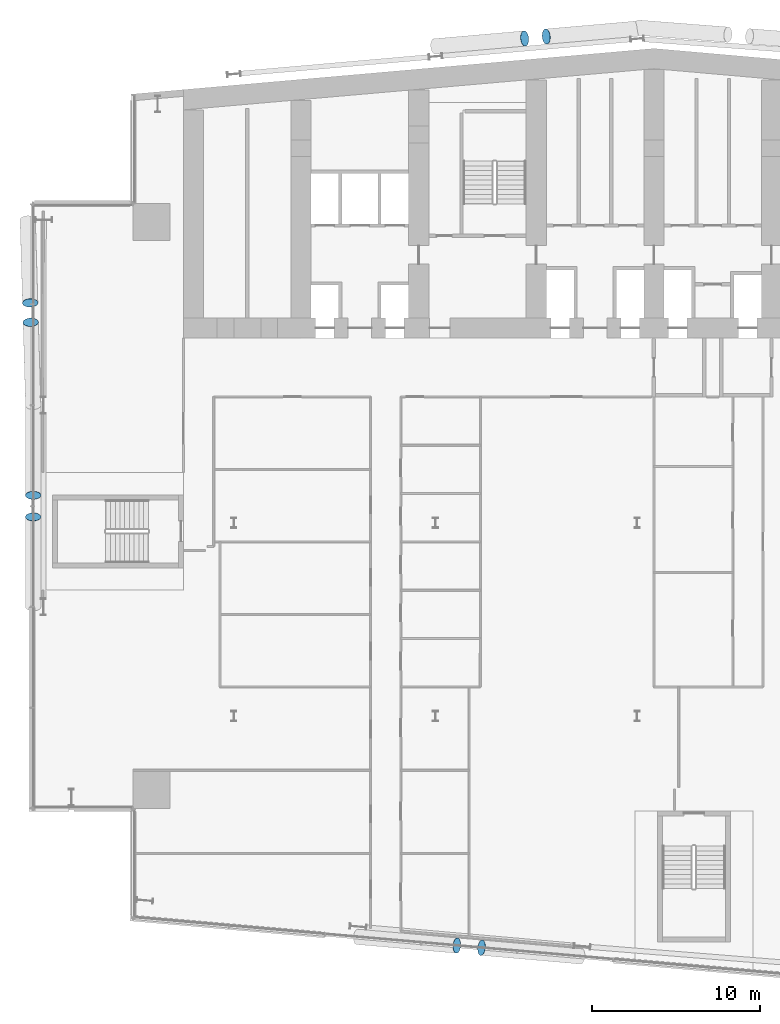
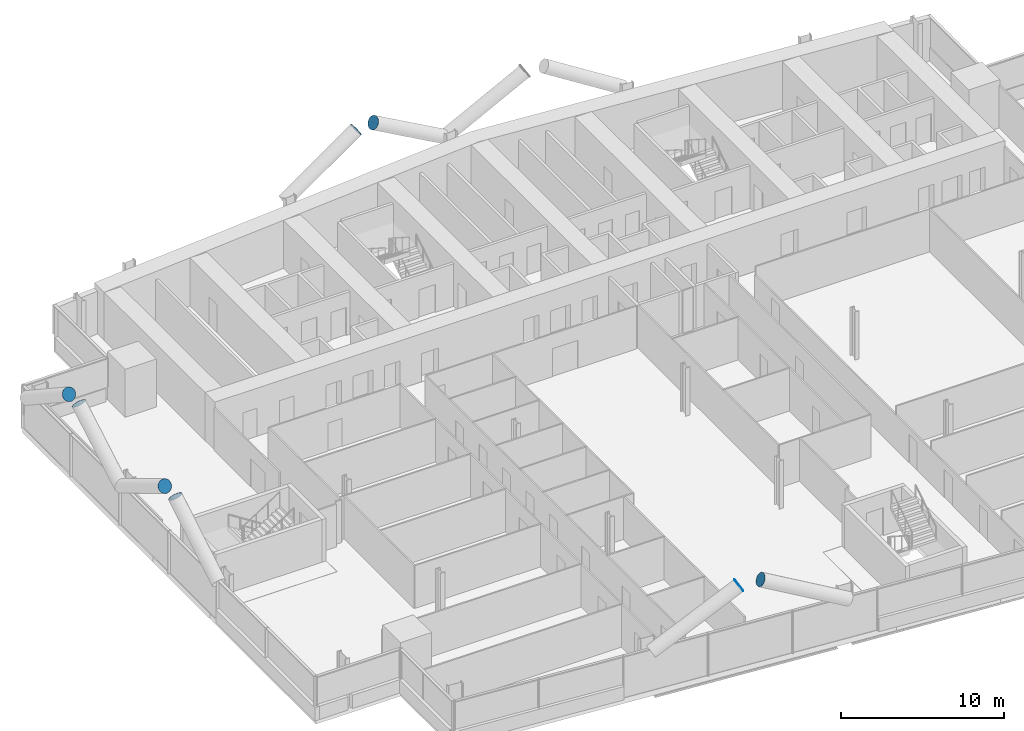
# One storey, part 21 of 27: 8 discrete accessories.
"""IFC4 building model written with IfcOpenShell, lengths in metres."""

from ifc_helpers import new_model, si_unit, direction, frame, origin, origin_2d, place, context, subcontext, project, spatial, circle, extrude, material, material_profile, profile_set, type_object, element, save


model = new_model("IFC4")

# Units and contexts
model_context = context("Model", 3, precision=1e-05, world=origin(), true_north=direction((0.0, 1.0)))
body_context = subcontext(model_context, "Body", "Model", "MODEL_VIEW")
ifc_project = project(units=[si_unit("LENGTHUNIT", "METRE"), si_unit("AREAUNIT", "SQUARE_METRE"), si_unit("VOLUMEUNIT", "CUBIC_METRE"), si_unit("PLANEANGLEUNIT", "RADIAN"), si_unit("MASSUNIT", "GRAM", prefix="KILO")], contexts=[model_context])

# Site, building, storey
site_placement = place(None, origin())
site = spatial("IfcSite", under=ifc_project, at=site_placement, CompositionType="ELEMENT")
building_placement = place(site_placement, origin())
building = spatial("IfcBuilding", under=site, at=building_placement, Name="Wharfspan Tower", CompositionType="ELEMENT")
storey_placement = place(building_placement, frame((0.0, 0.0, 73.899902)))
storey = spatial("IfcBuildingStorey", under=building, at=storey_placement, Name="L15", CompositionType="ELEMENT", Elevation=73.899902)

# Discrete accessories
ifc_material = material(Name="Steel S460NH", Category="steel")
ifc_material_profile = material_profile(ifc_material, circle(Radius=0.457031, at=origin_2d()))
ifc_profile_set = profile_set([ifc_material_profile], Name="Steel S460NH")
discrete_accessory_type = type_object("IfcDiscreteAccessoryType", Name="End plate CHS 914x40", PredefinedType="BRACKET", material=ifc_profile_set)
for number, where, z_axis, x_axis, name in (
    (1, (25.263184, -2.155029, 6.099609), (0.871847, -0.072654, 0.484359), (0.083044, 0.996547, 3e-06), "End plate CHS 914x40"),
    (2, (26.746338, -2.284912, 6.099609), (-0.870063, 0.096674, 0.483368), (-0.110432, -0.993885, 0.0), "End plate CHS 914x40"),
):
    element("IfcDiscreteAccessory", number, at=place(storey_placement, frame(where, z_axis=z_axis, x_axis=x_axis)), inside=storey, type_object=discrete_accessory_type, Name=name, PredefinedType="BRACKET", context=body_context, shape_type="SweptSolid", body=[
        extrude(circle(Radius=0.457031, at=origin_2d()), origin(), (0.0, 0.0, 1.0), 0.01001),
    ])
for number, where, z_axis, x_axis, name in (
    (3, (0.054932, 24.649902, 6.110107), (0.0, -0.853282, 0.52145), (1.0, 0.0, 0.0), "End plate CHS 914x40"),
    (4, (0.054932, 23.350098, 6.110107), (0.0, 0.853282, 0.52145), (-1.0, 0.0, 0.0), "End plate CHS 914x40"),
):
    element("IfcDiscreteAccessory", number, at=place(storey_placement, frame(where, z_axis=z_axis, x_axis=x_axis)), inside=storey, type_object=discrete_accessory_type, Name=name, PredefinedType="BRACKET", context=body_context, shape_type="SweptSolid", body=[
        extrude(circle(Radius=0.457031, at=origin_2d()), origin(), (0.0, 0.0, 1.0), 0.010254),
    ])
for number, where, z_axis, x_axis, name in (
    (5, (-0.126465, 36.100586, 6.119385), (0.024686, -0.839314, 0.543086), (0.999566, 0.0294, 1e-06), "End plate CHS 914x40"),
    (6, (-0.091797, 34.933594, 6.119385), (-0.024686, 0.839314, 0.543086), (-0.999566, -0.0294, 1e-06), "End plate CHS 914x40"),
    (7, (29.296875, 51.831055, 6.109863), (0.855186, 0.073302, 0.513112), (-0.085402, 0.996345, 1e-06), "End plate CHS 914x40"),
    (8, (30.597656, 51.944824, 6.109863), (-0.855186, -0.073302, 0.513112), (0.085402, -0.996345, 1e-06), "End plate CHS 914x40"),
):
    element("IfcDiscreteAccessory", number, at=place(storey_placement, frame(where, z_axis=z_axis, x_axis=x_axis)), inside=storey, type_object=discrete_accessory_type, Name=name, PredefinedType="BRACKET", context=body_context, shape_type="SweptSolid", body=[
        extrude(circle(Radius=0.457031, at=origin_2d()), origin(), (0.0, 0.0, 1.0), 0.01001),
    ])

save(model, "model.ifc")
